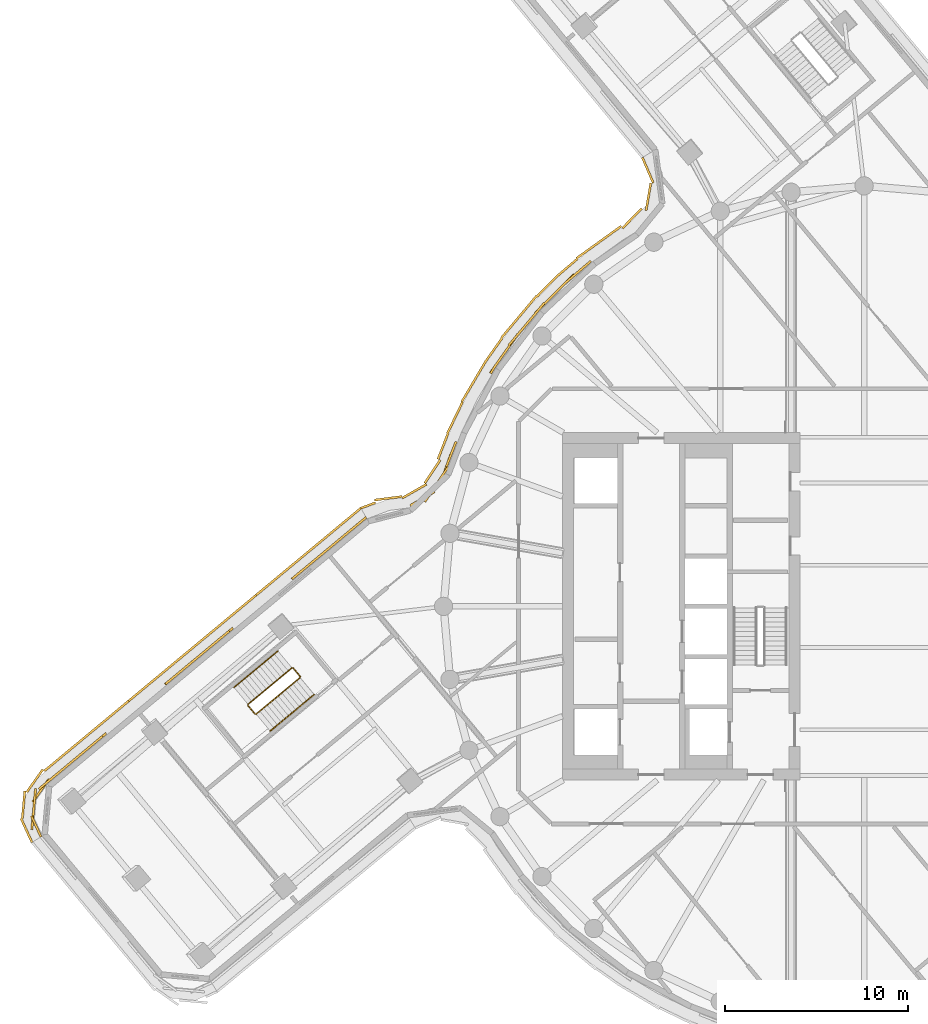
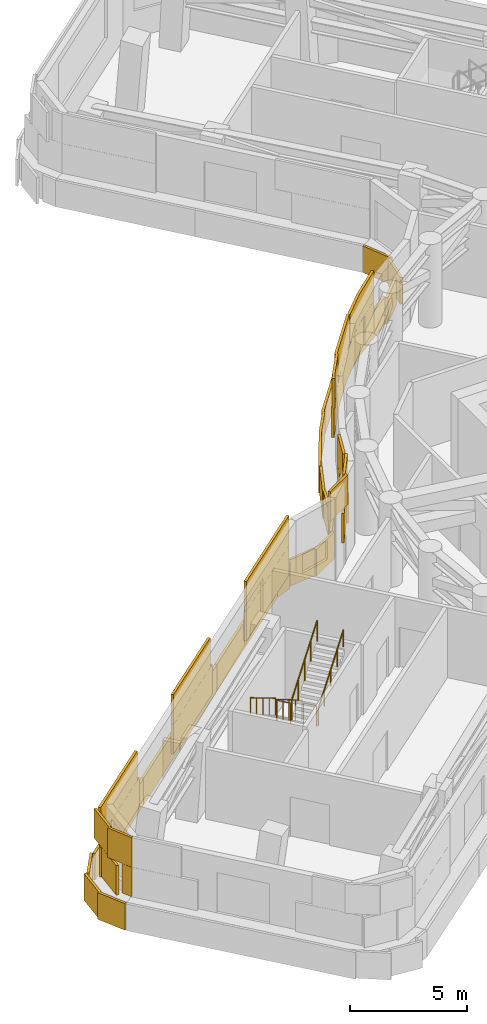
# One storey, part 18 of 22: 6 railings, 5 coverings.
"""IFC4 building model written with IfcOpenShell, lengths in metres."""

from ifc_helpers import new_model, si_unit, direction, frame, origin, origin_2d, place, context, subcontext, project, spatial, rectangle, circle, extrude, material, layer, layer_set, type_object, element, save


model = new_model("IFC4")

# Units and contexts
model_context = context("Model", 3, precision=1e-05, world=origin(), true_north=direction((0.0, 1.0)))
body_context = subcontext(model_context, "Body", "Model", "MODEL_VIEW")
ifc_project = project(units=[si_unit("LENGTHUNIT", "METRE"), si_unit("AREAUNIT", "SQUARE_METRE"), si_unit("VOLUMEUNIT", "CUBIC_METRE"), si_unit("PLANEANGLEUNIT", "RADIAN"), si_unit("MASSUNIT", "GRAM", prefix="KILO")], contexts=[model_context])

# Site, building, storey
site_placement = place(None, origin())
site = spatial("IfcSite", under=ifc_project, at=site_placement, CompositionType="ELEMENT")
building_placement = place(site_placement, origin())
building = spatial("IfcBuilding", under=site, at=building_placement, Name="Tamarind Cross Interchange Tower", CompositionType="ELEMENT")
storey_placement = place(building_placement, frame((0.0, 0.0, 178.0)))
storey = spatial("IfcBuildingStorey", under=building, at=storey_placement, Name="L44", CompositionType="ELEMENT", Elevation=178.0)

# Railings
ifc_material_1 = material(Name="Stair guard")
railing_type_1 = type_object("IfcRailingType", Name="Stair guard", PredefinedType="GUARDRAIL", material=ifc_material_1)
railing_1_placement = place(storey_placement, frame((-31.295166015625, -3.363525390625, 0.173095703125)))
element("IfcRailing", 1, at=railing_1_placement, inside=storey, type_object=railing_type_1, Name="L44 ST5 stair guard 1", PredefinedType="GUARDRAIL", context=body_context, shape_type="SweptSolid", body=[
    extrude(circle(Radius=0.02392578125, at=origin_2d()), frame((0.0, 0.0, 1.076171875), z_axis=(-0.640454117003, -0.531735858126, 0.55414393545), x_axis=(0.638782471217, -0.769387389074, 0.0)), (0.0, 0.0, 1.0), 3.748046875),
    extrude(circle(Radius=0.02099609375, at=origin_2d()), origin(), (0.0, 0.0, 1.0), 1.052001953125),
    extrude(circle(Radius=0.02099609375, at=origin_2d()), frame((-0.60009765625, -0.498291015625, 0.519287109375)), (0.0, 0.0, 1.0), 1.052001953125),
    extrude(circle(Radius=0.02099609375, at=origin_2d()), frame((-1.2001953125, -0.99658203125, 1.03857421875)), (0.0, 0.0, 1.0), 1.052001953125),
    extrude(circle(Radius=0.02099609375, at=origin_2d()), frame((-1.80029296875, -1.49462890625, 1.5576171875)), (0.0, 0.0, 1.0), 1.052001953125),
    extrude(circle(Radius=0.02099609375, at=origin_2d()), frame((-2.400390625, -1.992919921875, 2.076904296875)), (0.0, 0.0, 1.0), 1.052001953125),
])
railing_2_placement = place(storey_placement, frame((-33.7021484375, -5.427001953125, 2.25)))
element("IfcRailing", 2, at=railing_2_placement, inside=storey, type_object=railing_type_1, Name="L44 ST5 stair guard 2", PredefinedType="GUARDRAIL", context=body_context, shape_type="SweptSolid", body=[
    extrude(circle(Radius=0.02392578125, at=origin_2d()), frame((0.0, 0.0, 1.076171875), z_axis=(0.638982647588, -0.769221149008, 0.0), x_axis=(0.769221149008, 0.638982647588, 0.0)), (0.0, 0.0, 1.0), 0.599853515625),
    extrude(circle(Radius=0.02099609375, at=origin_2d()), origin(), (0.0, 0.0, 1.0), 1.052001953125),
    extrude(circle(Radius=0.02099609375, at=origin_2d()), frame((0.38330078125, -0.46142578125, 0.0)), (0.0, 0.0, 1.0), 1.052001953125),
])
railing_3_placement = place(storey_placement, frame((-33.24853515625, -5.89501953125, 2.423095703125)))
element("IfcRailing", 3, at=railing_3_placement, inside=storey, type_object=railing_type_1, Name="L44 ST5 stair guard 3", PredefinedType="GUARDRAIL", context=body_context, shape_type="SweptSolid", body=[
    extrude(circle(Radius=0.02392578125, at=origin_2d()), frame((0.0, 0.0, 1.076171875), z_axis=(0.640492535236, 0.531713674884, 0.554120817375), x_axis=(-0.638744013446, 0.769419316944, 0.0)), (0.0, 0.0, 1.0), 3.748046875),
    extrude(circle(Radius=0.02099609375, at=origin_2d()), origin(), (0.0, 0.0, 1.0), 1.052001953125),
    extrude(circle(Radius=0.02099609375, at=origin_2d()), frame((0.60009765625, 0.498291015625, 0.519287109375)), (0.0, 0.0, 1.0), 1.052001953125),
    extrude(circle(Radius=0.02099609375, at=origin_2d()), frame((1.2001953125, 0.99658203125, 1.03857421875)), (0.0, 0.0, 1.0), 1.052001953125),
    extrude(circle(Radius=0.02099609375, at=origin_2d()), frame((1.800537109375, 1.49462890625, 1.5576171875)), (0.0, 0.0, 1.0), 1.052001953125),
    extrude(circle(Radius=0.02099609375, at=origin_2d()), frame((2.400634765625, 1.992919921875, 2.076904296875)), (0.0, 0.0, 1.0), 1.052001953125),
])
railing_4_placement = place(storey_placement, frame((-31.224853515625, -3.369873046875, 0.0)))
element("IfcRailing", 4, at=railing_4_placement, inside=storey, type_object=railing_type_1, Name="L44 ST5 stair guard 4", PredefinedType="GUARDRAIL", context=body_context, shape_type="SweptSolid", body=[
    extrude(circle(Radius=0.02392578125, at=origin_2d()), frame((0.0, 0.0, 1.076171875), z_axis=(0.638782642692, -0.769387246707, 0.0), x_axis=(0.769387246707, 0.638782642692, 0.0)), (0.0, 0.0, 1.0), 0.60009765625),
    extrude(circle(Radius=0.02099609375, at=origin_2d()), origin(), (0.0, 0.0, 1.0), 1.052001953125),
    extrude(circle(Radius=0.02099609375, at=origin_2d()), frame((0.38330078125, -0.461669921875, 0.0)), (0.0, 0.0, 1.0), 1.052001953125),
])
ifc_material_2 = material(Name="Stair handrail")
railing_type_2 = type_object("IfcRailingType", Name="Stair handrail", PredefinedType="HANDRAIL", material=ifc_material_2)
railing_5_placement = place(storey_placement, frame((-32.061767578125, -2.440185546875, 0.173095703125)))
element("IfcRailing", 5, at=railing_5_placement, inside=storey, type_object=railing_type_2, Name="L44 ST5 stair handrail 1", PredefinedType="HANDRAIL", context=body_context, shape_type="SweptSolid", body=[
    extrude(circle(Radius=0.02392578125, at=origin_2d()), frame((0.0, 0.0, 0.8759765625), z_axis=(-0.640431933294, -0.531782577646, 0.554124741307), x_axis=(0.638828790386, -0.769348930313, 0.0)), (0.0, 0.0, 1.0), 3.748046875),
    extrude(circle(Radius=0.02099609375, at=origin_2d()), origin(), (0.0, 0.0, 1.0), 0.851806640625),
    extrude(circle(Radius=0.02099609375, at=origin_2d()), frame((-0.60009765625, -0.498291015625, 0.519287109375)), (0.0, 0.0, 1.0), 0.851806640625),
    extrude(circle(Radius=0.02099609375, at=origin_2d()), frame((-1.2001953125, -0.99658203125, 1.03857421875)), (0.0, 0.0, 1.0), 0.851806640625),
    extrude(circle(Radius=0.02099609375, at=origin_2d()), frame((-1.80029296875, -1.494873046875, 1.5576171875)), (0.0, 0.0, 1.0), 0.851806640625),
    extrude(circle(Radius=0.02099609375, at=origin_2d()), frame((-2.400390625, -1.9931640625, 2.076904296875)), (0.0, 0.0, 1.0), 0.851806640625),
])
railing_6_placement = place(storey_placement, frame((-32.48193359375, -6.818359375, 2.423095703125)))
element("IfcRailing", 6, at=railing_6_placement, inside=storey, type_object=railing_type_2, Name="L44 ST5 stair handrail 2", PredefinedType="HANDRAIL", context=body_context, shape_type="SweptSolid", body=[
    extrude(circle(Radius=0.02392578125, at=origin_2d()), frame((0.0, 0.0, 0.8759765625), z_axis=(0.640431933294, 0.531782577646, 0.554124741307), x_axis=(-0.638828790386, 0.769348930313, 0.0)), (0.0, 0.0, 1.0), 3.748046875),
    extrude(circle(Radius=0.02099609375, at=origin_2d()), origin(), (0.0, 0.0, 1.0), 0.851806640625),
    extrude(circle(Radius=0.02099609375, at=origin_2d()), frame((0.60009765625, 0.498291015625, 0.519287109375)), (0.0, 0.0, 1.0), 0.851806640625),
    extrude(circle(Radius=0.02099609375, at=origin_2d()), frame((1.2001953125, 0.99658203125, 1.03857421875)), (0.0, 0.0, 1.0), 0.851806640625),
    extrude(circle(Radius=0.02099609375, at=origin_2d()), frame((1.80029296875, 1.494873046875, 1.5576171875)), (0.0, 0.0, 1.0), 0.851806640625),
    extrude(circle(Radius=0.02099609375, at=origin_2d()), frame((2.400390625, 1.9931640625, 2.076904296875)), (0.0, 0.0, 1.0), 0.851806640625),
])

# Coverings
ifc_material_3 = material(Name="Terracotta", Category="masonry")
ifc_layer = layer(ifc_material_3, 0.1201171875)
ifc_layer_set = layer_set([ifc_layer], Name="Terracotta")
covering_type = type_object("IfcCoveringType", Name="Terracotta baguette screen unit", PredefinedType="MOLDING", material=ifc_layer_set)
covering_1_placement = place(storey_placement, origin())
element("IfcCovering", 7, at=covering_1_placement, inside=storey, type_object=covering_type, Name="SCR-L44-14-00", PredefinedType="MOLDING", context=body_context, shape_type="SweptSolid", body=[
    extrude(rectangle(XDim=1.185546875, YDim=0.1201171875, at=origin_2d()), frame((-15.39501953125, 18.499755859375, 1.404052734375), z_axis=(0.0, 0.0, 1.0), x_axis=(-0.760295606781, -0.64957723968, 0.0)), (0.0, 0.0, 1.0), 1.5419921875),
    extrude(rectangle(XDim=1.52001953125, YDim=0.1201171875, at=origin_2d()), frame((-16.410400390625, 17.62890625, 1.404052734375), z_axis=(0.0, 0.0, 1.0), x_axis=(-0.704057148523, -0.710143317658, 0.0)), (0.0, 0.0, 1.0), 1.5419921875),
    extrude(rectangle(XDim=1.52001953125, YDim=0.1201171875, at=origin_2d()), frame((-17.46630859375, 16.563720703125, 1.404052734375), z_axis=(0.0, 0.0, 1.0), x_axis=(-0.704057148523, -0.710143317658, 0.0)), (0.0, 0.0, 1.0), 1.5419921875),
    extrude(rectangle(XDim=1.52001953125, YDim=0.1201171875, at=origin_2d()), frame((-18.458984375, 15.440673828125, 1.404052734375), z_axis=(0.0, 0.0, 1.0), x_axis=(-0.643009266048, -0.765858396687, 0.0)), (0.0, 0.0, 1.0), 1.5419921875),
    extrude(rectangle(XDim=1.52001953125, YDim=0.1201171875, at=origin_2d()), frame((-19.3876953125, 14.26416015625, 1.404052734375), z_axis=(0.0, 0.0, 1.0), x_axis=(-0.577568978284, -0.816341886298, 0.0)), (0.0, 0.0, 1.0), 1.5419921875),
    extrude(rectangle(XDim=1.10107421875, YDim=0.1201171875, at=origin_2d()), frame((-20.135986328125, 13.20654296875, 1.404052734375), z_axis=(0.0, 0.0, 1.0), x_axis=(-0.577568978284, -0.816341886298, 0.0)), (0.0, 0.0, 1.0), 1.5419921875),
    extrude(rectangle(XDim=0.435546875, YDim=0.1201171875, at=origin_2d()), frame((-15.10986328125, 18.743408203125, 2.9541015625), z_axis=(0.0, 0.0, 1.0), x_axis=(-0.760295606781, -0.64957723968, 0.0)), (0.0, 0.0, 1.0), 1.5419921875),
    extrude(rectangle(XDim=1.52001953125, YDim=0.1201171875, at=origin_2d()), frame((-15.841796875, 18.117919921875, 2.9541015625), z_axis=(0.0, 0.0, 1.0), x_axis=(-0.760295606781, -0.64957723968, 0.0)), (0.0, 0.0, 1.0), 1.5419921875),
    extrude(rectangle(XDim=1.52001953125, YDim=0.1201171875, at=origin_2d()), frame((-16.9384765625, 17.096435546875, 2.9541015625), z_axis=(0.0, 0.0, 1.0), x_axis=(-0.704057148523, -0.710143317658, 0.0)), (0.0, 0.0, 1.0), 1.5419921875),
    extrude(rectangle(XDim=1.52001953125, YDim=0.1201171875, at=origin_2d()), frame((-17.976806640625, 16.014892578125, 2.9541015625), z_axis=(0.0, 0.0, 1.0), x_axis=(-0.643009266048, -0.765858396687, 0.0)), (0.0, 0.0, 1.0), 1.5419921875),
    extrude(rectangle(XDim=1.52001953125, YDim=0.1201171875, at=origin_2d()), frame((-18.94140625, 14.8662109375, 2.9541015625), z_axis=(0.0, 0.0, 1.0), x_axis=(-0.643009266048, -0.765858396687, 0.0)), (0.0, 0.0, 1.0), 1.5419921875),
    extrude(rectangle(XDim=1.52001953125, YDim=0.1201171875, at=origin_2d()), frame((-19.82080078125, 13.65185546875, 2.9541015625), z_axis=(0.0, 0.0, 1.0), x_axis=(-0.577568978284, -0.816341886298, 0.0)), (0.0, 0.0, 1.0), 1.5419921875),
    extrude(rectangle(XDim=0.35107421875, YDim=0.1201171875, at=origin_2d()), frame((-20.336669921875, 12.89013671875, 2.9541015625), z_axis=(0.0, 0.0, 1.0), x_axis=(-0.508183308752, -0.861248933065, 0.0)), (0.0, 0.0, 1.0), 1.5419921875),
    extrude(rectangle(XDim=1.510009765625, YDim=0.1201171875, at=origin_2d()), frame((-11.83056640625, 23.852294921875, 0.00390625), z_axis=(0.0, 0.0, 1.0), x_axis=(0.394213198188, -0.919019017417, 0.0)), (0.0, 0.0, 1.0), 1.39208984375),
    extrude(rectangle(XDim=1.52001953125, YDim=0.1201171875, at=origin_2d()), frame((-11.7978515625, 22.3974609375, 0.00390625), z_axis=(0.0, 0.0, 1.0), x_axis=(-0.169419394609, -0.985544047078, 0.0)), (0.0, 0.0, 1.0), 1.39208984375),
    extrude(rectangle(XDim=1.52001953125, YDim=0.1201171875, at=origin_2d()), frame((-12.689697265625, 21.22607421875, 0.00390625), z_axis=(0.0, 0.0, 1.0), x_axis=(-0.697606702132, -0.716480906333, 0.0)), (0.0, 0.0, 1.0), 1.39208984375),
    extrude(rectangle(XDim=1.52001953125, YDim=0.1201171875, at=origin_2d()), frame((-13.900634765625, 20.353515625, 0.00390625), z_axis=(0.0, 0.0, 1.0), x_axis=(-0.811340475102, -0.584573890505, 0.0)), (0.0, 0.0, 1.0), 1.39208984375),
    extrude(rectangle(XDim=1.52001953125, YDim=0.1201171875, at=origin_2d()), frame((-15.11767578125, 19.4765625, 0.00390625), z_axis=(0.0, 0.0, 1.0), x_axis=(-0.811340475102, -0.584573890505, 0.0)), (0.0, 0.0, 1.0), 1.39208984375),
    extrude(rectangle(XDim=1.52001953125, YDim=0.1201171875, at=origin_2d()), frame((-16.26513671875, 18.51123046875, 0.00390625), z_axis=(0.0, 0.0, 1.0), x_axis=(-0.760295606781, -0.64957723968, 0.0)), (0.0, 0.0, 1.0), 1.39208984375),
    extrude(rectangle(XDim=1.52001953125, YDim=0.1201171875, at=origin_2d()), frame((-17.359375, 17.487060546875, 0.00390625), z_axis=(0.0, 0.0, 1.0), x_axis=(-0.704057148523, -0.710143317658, 0.0)), (0.0, 0.0, 1.0), 1.39208984375),
    extrude(rectangle(XDim=1.52001953125, YDim=0.1201171875, at=origin_2d()), frame((-18.39794921875, 16.406005859375, 0.00390625), z_axis=(0.0, 0.0, 1.0), x_axis=(-0.643009266048, -0.765858396687, 0.0)), (0.0, 0.0, 1.0), 1.39208984375),
    extrude(rectangle(XDim=1.52001953125, YDim=0.1201171875, at=origin_2d()), frame((-19.362548828125, 15.257080078125, 0.00390625), z_axis=(0.0, 0.0, 1.0), x_axis=(-0.643009266048, -0.765858396687, 0.0)), (0.0, 0.0, 1.0), 1.39208984375),
    extrude(rectangle(XDim=1.52001953125, YDim=0.1201171875, at=origin_2d()), frame((-20.245361328125, 14.04541015625, 0.00390625), z_axis=(0.0, 0.0, 1.0), x_axis=(-0.577568978284, -0.816341886298, 0.0)), (0.0, 0.0, 1.0), 1.39208984375),
    extrude(rectangle(XDim=1.52001953125, YDim=0.1201171875, at=origin_2d()), frame((-21.062744140625, 12.7890625, 0.00390625), z_axis=(0.0, 0.0, 1.0), x_axis=(-0.508183308752, -0.861248933065, 0.0)), (0.0, 0.0, 1.0), 1.39208984375),
    extrude(rectangle(XDim=1.1103515625, YDim=0.1201171875, at=origin_2d()), frame((-21.720947265625, 11.673828125, 0.00390625), z_axis=(0.0, 0.0, 1.0), x_axis=(-0.508183308752, -0.861248933065, 0.0)), (0.0, 0.0, 1.0), 1.39208984375),
])
covering_2_placement = place(storey_placement, origin())
element("IfcCovering", 8, at=covering_2_placement, inside=storey, type_object=covering_type, Name="SCR-L44-14-01", PredefinedType="MOLDING", context=body_context, shape_type="SweptSolid", body=[
    extrude(rectangle(XDim=0.718994140625, YDim=0.1201171875, at=origin_2d()), frame((-22.450439453125, 8.674072265625, 1.404052734375), z_axis=(0.0, 0.0, 1.0), x_axis=(-0.361834806358, -0.932242228666, 0.0)), (0.0, 0.0, 1.0), 1.5419921875),
    extrude(rectangle(XDim=1.52001953125, YDim=0.1201171875, at=origin_2d()), frame((-22.845458984375, 7.642578125, 1.404052734375), z_axis=(0.0, 0.0, 1.0), x_axis=(-0.334670760287, -0.942335122029, 0.0)), (0.0, 0.0, 1.0), 1.5419921875),
    extrude(rectangle(XDim=1.52001953125, YDim=0.1201171875, at=origin_2d()), frame((-23.599853515625, 6.355712890625, 1.404052734375), z_axis=(0.0, 0.0, 1.0), x_axis=(-0.554847821834, -0.831951858346, 0.0)), (0.0, 0.0, 1.0), 1.5419921875),
    extrude(rectangle(XDim=1.468994140625, YDim=0.1201171875, at=origin_2d()), frame((-22.586181640625, 8.324462890625, 2.9541015625), z_axis=(0.0, 0.0, 1.0), x_axis=(-0.361834806358, -0.932242228666, 0.0)), (0.0, 0.0, 1.0), 1.5419921875),
    extrude(rectangle(XDim=1.52001953125, YDim=0.1201171875, at=origin_2d()), frame((-23.183837890625, 6.979736328125, 2.9541015625), z_axis=(0.0, 0.0, 1.0), x_axis=(-0.554847821834, -0.831951858346, 0.0)), (0.0, 0.0, 1.0), 1.5419921875),
    extrude(rectangle(XDim=1.52001953125, YDim=0.1201171875, at=origin_2d()), frame((-24.1640625, 5.890380859375, 2.9541015625), z_axis=(0.0, 0.0, 1.0), x_axis=(-0.868488772559, -0.495708837866, 0.0)), (0.0, 0.0, 1.0), 1.5419921875),
    extrude(rectangle(XDim=0.40966796875, YDim=0.1201171875, at=origin_2d()), frame((-22.05419921875, 10.990966796875, 0.00390625), z_axis=(0.0, 0.0, 1.0), x_axis=(-0.435326231914, -0.900272776334, 0.0)), (0.0, 0.0, 1.0), 1.39208984375),
    extrude(rectangle(XDim=1.52001953125, YDim=0.1201171875, at=origin_2d()), frame((-22.465576171875, 10.14013671875, 0.00390625), z_axis=(0.0, 0.0, 1.0), x_axis=(-0.435326231914, -0.900272776334, 0.0)), (0.0, 0.0, 1.0), 1.39208984375),
    extrude(rectangle(XDim=1.52001953125, YDim=0.1201171875, at=origin_2d()), frame((-23.035400390625, 8.753662109375, 0.00390625), z_axis=(0.0, 0.0, 1.0), x_axis=(-0.361834806358, -0.932242228666, 0.0)), (0.0, 0.0, 1.0), 1.39208984375),
    extrude(rectangle(XDim=1.52001953125, YDim=0.1201171875, at=origin_2d()), frame((-23.610595703125, 7.3740234375, 0.00390625), z_axis=(0.0, 0.0, 1.0), x_axis=(-0.554847821834, -0.831951858346, 0.0)), (0.0, 0.0, 1.0), 1.39208984375),
    extrude(rectangle(XDim=1.52001953125, YDim=0.1201171875, at=origin_2d()), frame((-24.604736328125, 6.299560546875, 0.00390625), z_axis=(0.0, 0.0, 1.0), x_axis=(-0.868488772559, -0.495708837866, 0.0)), (0.0, 0.0, 1.0), 1.39208984375),
    extrude(rectangle(XDim=1.52001953125, YDim=0.1201171875, at=origin_2d()), frame((-26.0263671875, 5.9111328125, 0.00390625), z_axis=(0.0, 0.0, 1.0), x_axis=(-0.991925368956, -0.126822956995, 0.0)), (0.0, 0.0, 1.0), 1.39208984375),
    extrude(rectangle(XDim=0.856201171875, YDim=0.1201171875, at=origin_2d()), frame((-27.12548828125, 5.5224609375, 0.00390625), z_axis=(0.0, 0.0, 1.0), x_axis=(-0.936780063901, -0.349918721817, 0.0)), (0.0, 0.0, 1.0), 1.39208984375),
])
covering_3_placement = place(storey_placement, origin())
element("IfcCovering", 9, at=covering_3_placement, inside=storey, type_object=covering_type, Name="SCR-L44-15-00", PredefinedType="MOLDING", context=body_context, shape_type="SweptSolid", body=[
    extrude(rectangle(XDim=1.510009765625, YDim=0.1201171875, at=origin_2d()), frame((-27.811767578125, 4.389892578125, 1.404052734375), z_axis=(0.0, 0.0, 1.0), x_axis=(-0.769372797728, -0.638800045488, 0.0)), (0.0, 0.0, 1.0), 1.5419921875),
    extrude(rectangle(XDim=1.52001953125, YDim=0.1201171875, at=origin_2d()), frame((-28.9658203125, 3.431640625, 1.404052734375), z_axis=(0.0, 0.0, 1.0), x_axis=(-0.769372797728, -0.638800045488, 0.0)), (0.0, 0.0, 1.0), 1.5419921875),
    extrude(rectangle(XDim=1.52001953125, YDim=0.1201171875, at=origin_2d()), frame((-30.119873046875, 2.4736328125, 1.404052734375), z_axis=(0.0, 0.0, 1.0), x_axis=(-0.769372797728, -0.638800045488, 0.0)), (0.0, 0.0, 1.0), 1.5419921875),
    extrude(rectangle(XDim=0.786376953125, YDim=0.1201171875, at=origin_2d()), frame((-30.99560546875, 1.746337890625, 1.404052734375), z_axis=(0.0, 0.0, 1.0), x_axis=(-0.769372797728, -0.638800045488, 0.0)), (0.0, 0.0, 1.0), 1.5419921875),
    extrude(rectangle(XDim=0.760009765625, YDim=0.1201171875, at=origin_2d()), frame((-27.523193359375, 4.62939453125, 2.9541015625), z_axis=(0.0, 0.0, 1.0), x_axis=(-0.769372797728, -0.638800045488, 0.0)), (0.0, 0.0, 1.0), 1.5419921875),
    extrude(rectangle(XDim=1.52001953125, YDim=0.1201171875, at=origin_2d()), frame((-28.388671875, 3.910888671875, 2.9541015625), z_axis=(0.0, 0.0, 1.0), x_axis=(-0.769372797728, -0.638800045488, 0.0)), (0.0, 0.0, 1.0), 1.5419921875),
    extrude(rectangle(XDim=1.52001953125, YDim=0.1201171875, at=origin_2d()), frame((-29.542724609375, 2.95263671875, 2.9541015625), z_axis=(0.0, 0.0, 1.0), x_axis=(-0.769372797728, -0.638800045488, 0.0)), (0.0, 0.0, 1.0), 1.5419921875),
    extrude(rectangle(XDim=1.52001953125, YDim=0.1201171875, at=origin_2d()), frame((-30.69677734375, 1.994384765625, 2.9541015625), z_axis=(0.0, 0.0, 1.0), x_axis=(-0.769372797728, -0.638800045488, 0.0)), (0.0, 0.0, 1.0), 1.5419921875),
    extrude(rectangle(XDim=1.510009765625, YDim=0.1201171875, at=origin_2d()), frame((-28.107421875, 4.890380859375, 0.00390625), z_axis=(0.0, 0.0, 1.0), x_axis=(-0.769372797728, -0.638800045488, 0.0)), (0.0, 0.0, 1.0), 1.39208984375),
    extrude(rectangle(XDim=1.52001953125, YDim=0.1201171875, at=origin_2d()), frame((-29.257568359375, 3.935302734375, 0.00390625), z_axis=(0.0, 0.0, 1.0), x_axis=(-0.769372797728, -0.638800045488, 0.0)), (0.0, 0.0, 1.0), 1.39208984375),
    extrude(rectangle(XDim=1.52001953125, YDim=0.1201171875, at=origin_2d()), frame((-30.41162109375, 2.977294921875, 0.00390625), z_axis=(0.0, 0.0, 1.0), x_axis=(-0.769372797728, -0.638800045488, 0.0)), (0.0, 0.0, 1.0), 1.39208984375),
    extrude(rectangle(XDim=1.52001953125, YDim=0.1201171875, at=origin_2d()), frame((-31.565673828125, 2.01904296875, 0.00390625), z_axis=(0.0, 0.0, 1.0), x_axis=(-0.769372797728, -0.638800045488, 0.0)), (0.0, 0.0, 1.0), 1.39208984375),
    extrude(rectangle(XDim=1.4423828125, YDim=0.1201171875, at=origin_2d()), frame((-32.68994140625, 1.085693359375, 0.00390625), z_axis=(0.0, 0.0, 1.0), x_axis=(-0.769372797728, -0.638800045488, 0.0)), (0.0, 0.0, 1.0), 1.39208984375),
])
covering_4_placement = place(storey_placement, origin())
element("IfcCovering", 10, at=covering_4_placement, inside=storey, type_object=covering_type, Name="SCR-L44-15-01", PredefinedType="MOLDING", context=body_context, shape_type="SweptSolid", body=[
    extrude(rectangle(XDim=1.03369140625, YDim=0.1201171875, at=origin_2d()), frame((-34.91943359375, -1.511474609375, 1.404052734375), z_axis=(0.0, 0.0, 1.0), x_axis=(-0.769372797728, -0.638800045488, 0.0)), (0.0, 0.0, 1.0), 1.5419921875),
    extrude(rectangle(XDim=1.52001953125, YDim=0.1201171875, at=origin_2d()), frame((-35.89013671875, -2.3173828125, 1.404052734375), z_axis=(0.0, 0.0, 1.0), x_axis=(-0.769372797728, -0.638800045488, 0.0)), (0.0, 0.0, 1.0), 1.5419921875),
    extrude(rectangle(XDim=1.52001953125, YDim=0.1201171875, at=origin_2d()), frame((-37.044189453125, -3.275634765625, 1.404052734375), z_axis=(0.0, 0.0, 1.0), x_axis=(-0.769372797728, -0.638800045488, 0.0)), (0.0, 0.0, 1.0), 1.5419921875),
    extrude(rectangle(XDim=0.797119140625, YDim=0.1201171875, at=origin_2d()), frame((-37.924072265625, -4.006103515625, 1.404052734375), z_axis=(0.0, 0.0, 1.0), x_axis=(-0.769372797728, -0.638800045488, 0.0)), (0.0, 0.0, 1.0), 1.5419921875),
    extrude(rectangle(XDim=1.52001953125, YDim=0.1201171875, at=origin_2d()), frame((-35.31298828125, -1.83837890625, 2.9541015625), z_axis=(0.0, 0.0, 1.0), x_axis=(-0.769372797728, -0.638800045488, 0.0)), (0.0, 0.0, 1.0), 1.5419921875),
    extrude(rectangle(XDim=1.52001953125, YDim=0.1201171875, at=origin_2d()), frame((-36.467041015625, -2.796630859375, 2.9541015625), z_axis=(0.0, 0.0, 1.0), x_axis=(-0.769372797728, -0.638800045488, 0.0)), (0.0, 0.0, 1.0), 1.5419921875),
    extrude(rectangle(XDim=1.52001953125, YDim=0.1201171875, at=origin_2d()), frame((-37.62109375, -3.7548828125, 2.9541015625), z_axis=(0.0, 0.0, 1.0), x_axis=(-0.769372797728, -0.638800045488, 0.0)), (0.0, 0.0, 1.0), 1.5419921875),
    extrude(rectangle(XDim=0.07763671875, YDim=0.1201171875, at=origin_2d()), frame((-33.274658203125, 0.60009765625, 0.00390625), z_axis=(0.0, 0.0, 1.0), x_axis=(-0.769372797728, -0.638800045488, 0.0)), (0.0, 0.0, 1.0), 1.39208984375),
    extrude(rectangle(XDim=1.52001953125, YDim=0.1201171875, at=origin_2d()), frame((-33.8740234375, 0.1025390625, 0.00390625), z_axis=(0.0, 0.0, 1.0), x_axis=(-0.769372797728, -0.638800045488, 0.0)), (0.0, 0.0, 1.0), 1.39208984375),
    extrude(rectangle(XDim=1.52001953125, YDim=0.1201171875, at=origin_2d()), frame((-35.028076171875, -0.85546875, 0.00390625), z_axis=(0.0, 0.0, 1.0), x_axis=(-0.769372797728, -0.638800045488, 0.0)), (0.0, 0.0, 1.0), 1.39208984375),
    extrude(rectangle(XDim=1.52001953125, YDim=0.1201171875, at=origin_2d()), frame((-36.18212890625, -1.813720703125, 0.00390625), z_axis=(0.0, 0.0, 1.0), x_axis=(-0.769372797728, -0.638800045488, 0.0)), (0.0, 0.0, 1.0), 1.39208984375),
    extrude(rectangle(XDim=1.52001953125, YDim=0.1201171875, at=origin_2d()), frame((-37.336181640625, -2.77197265625, 0.00390625), z_axis=(0.0, 0.0, 1.0), x_axis=(-0.769372797728, -0.638800045488, 0.0)), (0.0, 0.0, 1.0), 1.39208984375),
    extrude(rectangle(XDim=1.52001953125, YDim=0.1201171875, at=origin_2d()), frame((-38.490234375, -3.730224609375, 0.00390625), z_axis=(0.0, 0.0, 1.0), x_axis=(-0.769372797728, -0.638800045488, 0.0)), (0.0, 0.0, 1.0), 1.39208984375),
    extrude(rectangle(XDim=1.52001953125, YDim=0.1201171875, at=origin_2d()), frame((-39.644287109375, -4.6884765625, 0.00390625), z_axis=(0.0, 0.0, 1.0), x_axis=(-0.769372797728, -0.638800045488, 0.0)), (0.0, 0.0, 1.0), 1.39208984375),
])
covering_5_placement = place(storey_placement, origin())
element("IfcCovering", 11, at=covering_5_placement, inside=storey, type_object=covering_type, Name="SCR-L44-15-02", PredefinedType="MOLDING", context=body_context, shape_type="SweptSolid", body=[
    extrude(rectangle(XDim=1.02294921875, YDim=0.1201171875, at=origin_2d()), frame((-41.847900390625, -7.26416015625, 1.404052734375), z_axis=(0.0, 0.0, 1.0), x_axis=(-0.769372797728, -0.638800045488, 0.0)), (0.0, 0.0, 1.0), 1.5419921875),
    extrude(rectangle(XDim=1.52001953125, YDim=0.1201171875, at=origin_2d()), frame((-42.814453125, -8.066650390625, 1.404052734375), z_axis=(0.0, 0.0, 1.0), x_axis=(-0.769372797728, -0.638800045488, 0.0)), (0.0, 0.0, 1.0), 1.5419921875),
    extrude(rectangle(XDim=1.52001953125, YDim=0.1201171875, at=origin_2d()), frame((-43.968505859375, -9.02490234375, 1.404052734375), z_axis=(0.0, 0.0, 1.0), x_axis=(-0.769372797728, -0.638800045488, 0.0)), (0.0, 0.0, 1.0), 1.5419921875),
    extrude(rectangle(XDim=1.52001953125, YDim=0.1201171875, at=origin_2d()), frame((-45.02978515625, -10.069091796875, 1.404052734375), z_axis=(0.0, 0.0, 1.0), x_axis=(-0.577823437585, -0.816161794608, 0.0)), (0.0, 0.0, 1.0), 1.5419921875),
    extrude(rectangle(XDim=1.52001953125, YDim=0.1201171875, at=origin_2d()), frame((-45.453125, -11.457275390625, 1.404052734375), z_axis=(0.0, 0.0, 1.0), x_axis=(-0.092328878547, -0.995728566521, 0.0)), (0.0, 0.0, 1.0), 1.5419921875),
    extrude(rectangle(XDim=0.50146484375, YDim=0.1201171875, at=origin_2d()), frame((-45.1240234375, -12.376708984375, 1.404052734375), z_axis=(0.0, 0.0, 1.0), x_axis=(0.417905128936, -0.908490673155, 0.0)), (0.0, 0.0, 1.0), 1.5419921875),
    extrude(rectangle(XDim=1.52001953125, YDim=0.1201171875, at=origin_2d()), frame((-42.237548828125, -7.587646484375, 2.9541015625), z_axis=(0.0, 0.0, 1.0), x_axis=(-0.769372797728, -0.638800045488, 0.0)), (0.0, 0.0, 1.0), 1.5419921875),
    extrude(rectangle(XDim=1.52001953125, YDim=0.1201171875, at=origin_2d()), frame((-43.3916015625, -8.5458984375, 2.9541015625), z_axis=(0.0, 0.0, 1.0), x_axis=(-0.769372797728, -0.638800045488, 0.0)), (0.0, 0.0, 1.0), 1.5419921875),
    extrude(rectangle(XDim=1.52001953125, YDim=0.1201171875, at=origin_2d()), frame((-44.545654296875, -9.50390625, 2.9541015625), z_axis=(0.0, 0.0, 1.0), x_axis=(-0.769372797728, -0.638800045488, 0.0)), (0.0, 0.0, 1.0), 1.5419921875),
    extrude(rectangle(XDim=1.52001953125, YDim=0.1201171875, at=origin_2d()), frame((-45.384033203125, -10.71044921875, 2.9541015625), z_axis=(0.0, 0.0, 1.0), x_axis=(-0.092328878547, -0.995728566521, 0.0)), (0.0, 0.0, 1.0), 1.5419921875),
    extrude(rectangle(XDim=1.25146484375, YDim=0.1201171875, at=origin_2d()), frame((-45.28076171875, -12.0361328125, 2.9541015625), z_axis=(0.0, 0.0, 1.0), x_axis=(0.417905128936, -0.908490673155, 0.0)), (0.0, 0.0, 1.0), 1.5419921875),
    extrude(rectangle(XDim=1.49853515625, YDim=0.1201171875, at=origin_2d()), frame((-40.806396484375, -5.6533203125, 0.00390625), z_axis=(0.0, 0.0, 1.0), x_axis=(-0.769372797728, -0.638800045488, 0.0)), (0.0, 0.0, 1.0), 1.39208984375),
    extrude(rectangle(XDim=1.52001953125, YDim=0.1201171875, at=origin_2d()), frame((-41.952392578125, -6.604736328125, 0.00390625), z_axis=(0.0, 0.0, 1.0), x_axis=(-0.769372797728, -0.638800045488, 0.0)), (0.0, 0.0, 1.0), 1.39208984375),
    extrude(rectangle(XDim=1.52001953125, YDim=0.1201171875, at=origin_2d()), frame((-43.1064453125, -7.56298828125, 0.00390625), z_axis=(0.0, 0.0, 1.0), x_axis=(-0.769372797728, -0.638800045488, 0.0)), (0.0, 0.0, 1.0), 1.39208984375),
    extrude(rectangle(XDim=1.52001953125, YDim=0.1201171875, at=origin_2d()), frame((-44.260498046875, -8.521240234375, 0.00390625), z_axis=(0.0, 0.0, 1.0), x_axis=(-0.769372797728, -0.638800045488, 0.0)), (0.0, 0.0, 1.0), 1.39208984375),
    extrude(rectangle(XDim=1.52001953125, YDim=0.1201171875, at=origin_2d()), frame((-45.354736328125, -9.53466796875, 0.00390625), z_axis=(0.0, 0.0, 1.0), x_axis=(-0.577823437585, -0.816161794608, 0.0)), (0.0, 0.0, 1.0), 1.39208984375),
    extrude(rectangle(XDim=1.52001953125, YDim=0.1201171875, at=origin_2d()), frame((-45.973388671875, -10.8505859375, 0.00390625), z_axis=(0.0, 0.0, 1.0), x_axis=(-0.092328878547, -0.995728566521, 0.0)), (0.0, 0.0, 1.0), 1.39208984375),
    extrude(rectangle(XDim=1.440673828125, YDim=0.1201171875, at=origin_2d()), frame((-45.812255859375, -12.254150390625, 0.00390625), z_axis=(0.0, 0.0, 1.0), x_axis=(0.417905128936, -0.908490673155, 0.0)), (0.0, 0.0, 1.0), 1.39208984375),
])

save(model, "model.ifc")
